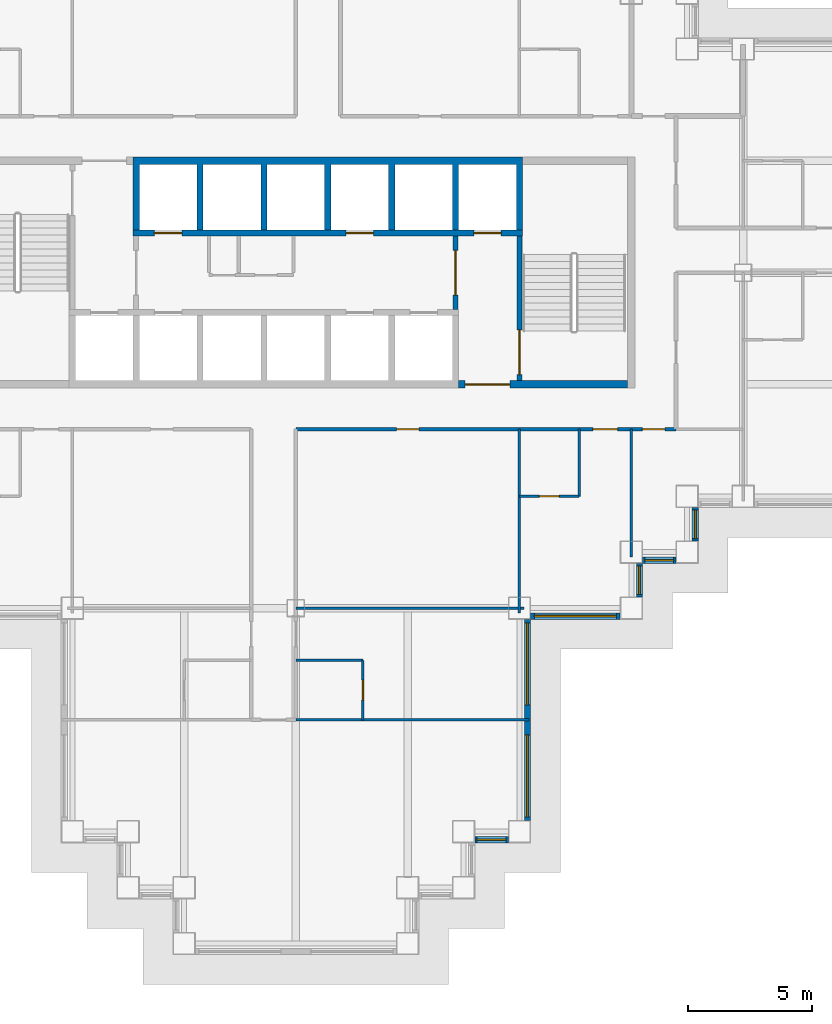
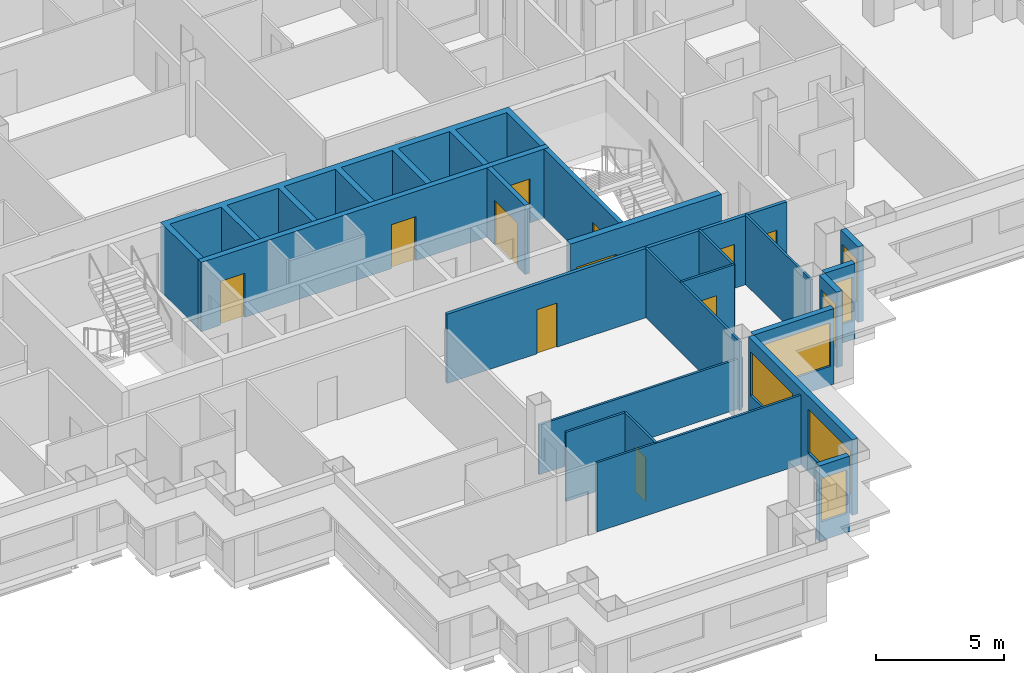
# One storey, part 5 of 14: 20 walls, 11 doors, 7 windows, 18 openings.
"""IFC4 building model written with IfcOpenShell, lengths in metres."""

from ifc_helpers import new_model, si_unit, direction, frame, frame_2d, origin, place, context, subcontext, project, spatial, polyline, rectangle, outline, extrude, material, layer, layer_set, type_object, element, fill, save


model = new_model("IFC4")

# Units and contexts
model_context = context("Model", 3, precision=1e-05, world=origin(), true_north=direction((0.0, 1.0)))
body_context = subcontext(model_context, "Body", "Model", "MODEL_VIEW")
ifc_project = project(units=[si_unit("LENGTHUNIT", "METRE"), si_unit("AREAUNIT", "SQUARE_METRE"), si_unit("VOLUMEUNIT", "CUBIC_METRE"), si_unit("PLANEANGLEUNIT", "RADIAN"), si_unit("MASSUNIT", "GRAM", prefix="KILO")], contexts=[model_context])

# Site, building, storey
site_placement = place(None, origin())
site = spatial("IfcSite", under=ifc_project, at=site_placement, CompositionType="ELEMENT")
building_placement = place(site_placement, origin())
building = spatial("IfcBuilding", under=site, at=building_placement, Name="Caravel Reach Hotel and Residences", CompositionType="ELEMENT")
storey_placement = place(building_placement, frame((0.0, 0.0, 118.800048828125)))
storey = spatial("IfcBuildingStorey", under=building, at=storey_placement, Name="L29", CompositionType="ELEMENT", Elevation=118.800048828125)

# Wall
ifc_material_1 = material(Name="Gypsum board on steel stud", Category="steel")
ifc_layer_1 = layer(ifc_material_1, 0.10009765625)
ifc_layer_set_1 = layer_set([ifc_layer_1], Name="Bathroom pod wall 100 mm")
wall_type_1 = type_object("IfcWallType", Name="Bathroom pod wall 100 mm", PredefinedType="PARTITIONING", material=ifc_layer_set_1)
wall_1_placement = place(storey_placement, frame((31.5, 11.39990234375, 0.0), z_axis=(0.0, 0.0, 1.0), x_axis=(1.0, 0.0, 0.0)))
element("IfcWall", 1, at=wall_1_placement, inside=storey, type_object=wall_type_1, Name="L29 wall w067", PredefinedType="PARTITIONING", context=body_context, shape_type="SweptSolid", body=[
    extrude(rectangle(XDim=2.699951171875, YDim=0.10009765625, at=frame_2d((1.35009765625, 0.0))), origin(), (0.0, 0.0, 1.0), 3.300048828125),
])

# Wall, opening, door
wall_2_placement = place(storey_placement, frame((40.5, 18.0, 0.0), z_axis=(0.0, 0.0, 1.0), x_axis=(1.0, 0.0, 0.0)))
wall_2 = element("IfcWall", 2, at=wall_2_placement, inside=storey, type_object=wall_type_1, Name="L29 wall w070", PredefinedType="PARTITIONING", context=body_context, shape_type="SweptSolid", body=[
    extrude(rectangle(XDim=2.39990234375, YDim=0.10009765625, at=frame_2d((1.199951171875, 0.0))), origin(), (0.0, 0.0, 1.0), 3.300048828125),
])
opening_1_placement = place(wall_2_placement, frame((0.800048828125, 0.0, 0.0)))
opening_1 = element("IfcOpeningElement", 3, at=opening_1_placement, cuts=wall_2, Name="Opening D29-048", PredefinedType="OPENING", context=body_context, shape_type="SweptSolid", body=[
    extrude(rectangle(XDim=0.800048828125, YDim=2.10009765625, at=frame_2d((0.39990234375, 1.050048828125))), frame((0.0, 0.06005859375, 0.0), z_axis=(0.0, -1.0, 0.0), x_axis=(1.0, 0.0, 0.0)), (0.0, 0.0, 1.0), 0.1201171875),
])
ifc_material_2 = material(Name="Timber and steel door leaf", Category="steel")
door_type_1 = type_object("IfcDoorType", Name="Bathroom door 800 x 2100", OperationType="SINGLE_SWING_LEFT", PredefinedType="DOOR", material=ifc_material_2)
door_1_placement = place(opening_1_placement, origin())
door_1 = element("IfcDoor", 4, at=door_1_placement, inside=storey, type_object=door_type_1, Name="door D29-048", OperationType="SINGLE_SWING_LEFT", OverallHeight=2.10009765625, OverallWidth=0.800048828125, PredefinedType="DOOR", context=body_context, shape_type="SweptSolid", body=[
    extrude(rectangle(XDim=0.800048828125, YDim=2.10009765625, at=frame_2d((0.39990234375, 1.050048828125))), frame((0.0, 0.02490234375, 0.0), z_axis=(0.0, -1.0, 0.0), x_axis=(1.0, 0.0, 0.0)), (0.0, 0.0, 1.0), 0.050048828125),
])
fill(opening_1, door_1)

wall_3_placement = place(storey_placement, frame((34.199951171875, 9.0, 0.0), z_axis=(0.0, 0.0, 1.0), x_axis=(0.0, 1.0, 0.0)))
wall_3 = element("IfcWall", 5, at=wall_3_placement, inside=storey, type_object=wall_type_1, Name="L29 wall w087", PredefinedType="PARTITIONING", context=body_context, shape_type="SweptSolid", body=[
    extrude(rectangle(XDim=2.39990234375, YDim=0.10009765625, at=frame_2d((1.199951171875, 0.0))), origin(), (0.0, 0.0, 1.0), 3.300048828125),
])
opening_2_placement = place(wall_3_placement, frame((0.800048828125, 0.0, 0.0)))
opening_2 = element("IfcOpeningElement", 6, at=opening_2_placement, cuts=wall_3, Name="Opening D29-034", PredefinedType="OPENING", context=body_context, shape_type="SweptSolid", body=[
    extrude(rectangle(XDim=0.800048828125, YDim=2.10009765625, at=frame_2d((0.39990234375, 1.050048828125))), frame((0.0, 0.06005859375, 0.0), z_axis=(0.0, -1.0, 0.0), x_axis=(1.0, 0.0, 0.0)), (0.0, 0.0, 1.0), 0.1201171875),
])
door_2_placement = place(opening_2_placement, origin())
door_2 = element("IfcDoor", 7, at=door_2_placement, inside=storey, type_object=door_type_1, Name="door D29-034", OperationType="SINGLE_SWING_RIGHT", OverallHeight=2.10009765625, OverallWidth=0.800048828125, PredefinedType="DOOR", context=body_context, shape_type="SweptSolid", body=[
    extrude(rectangle(XDim=0.800048828125, YDim=2.10009765625, at=frame_2d((0.39990234375, 1.050048828125))), frame((0.0, 0.02490234375, 0.0), z_axis=(0.0, -1.0, 0.0), x_axis=(1.0, 0.0, 0.0)), (0.0, 0.0, 1.0), 0.050048828125),
])
fill(opening_2, door_2)

# Wall
wall_4_placement = place(storey_placement, frame((42.89990234375, 18.0, 0.0), z_axis=(0.0, 0.0, 1.0), x_axis=(0.0, 1.0, 0.0)))
element("IfcWall", 8, at=wall_4_placement, inside=storey, type_object=wall_type_1, Name="L29 wall w091", PredefinedType="PARTITIONING", context=body_context, shape_type="SweptSolid", body=[
    extrude(rectangle(XDim=2.699951171875, YDim=0.10009765625, at=frame_2d((1.35009765625, 0.0))), origin(), (0.0, 0.0, 1.0), 3.300048828125),
])

# Wall, opening, door
ifc_material_3 = material(Name="Concrete C60", Category="concrete")
ifc_layer_2 = layer(ifc_material_3, 0.300048828125)
ifc_layer_set_2 = layer_set([ifc_layer_2], Name="Core wall 300 mm EI 120")
wall_type_2 = type_object("IfcWallType", Name="Core wall 300 mm EI 120", PredefinedType="SHEAR", material=ifc_layer_set_2)
wall_5_placement = place(storey_placement, frame((38.053466796875, 22.5, 0.0), z_axis=(0.0, 0.0, 1.0), x_axis=(1.0, 0.0, 0.0)))
wall_5 = element("IfcWall", 9, at=wall_5_placement, inside=storey, type_object=wall_type_2, Name="L29 core wall S2", PredefinedType="SHEAR", context=body_context, shape_type="SweptSolid", body=[
    extrude(rectangle(XDim=6.796630859375, YDim=0.300048828125, at=frame_2d((3.3984375, 0.0))), origin(), (0.0, 0.0, 1.0), 3.300048828125),
])
opening_3_placement = place(wall_5_placement, frame((0.2607421875, 0.0, 0.0)))
opening_3 = element("IfcOpeningElement", 10, at=opening_3_placement, cuts=wall_5, Name="Opening D29-015", PredefinedType="OPENING", context=body_context, shape_type="SweptSolid", body=[
    extrude(rectangle(XDim=1.800048828125, YDim=2.10009765625, at=frame_2d((0.89990234375, 1.050048828125))), frame((0.0, 0.159912109375, 0.0), z_axis=(0.0, -1.0, 0.0), x_axis=(1.0, 0.0, 0.0)), (0.0, 0.0, 1.0), 0.320068359375),
])
ifc_material_4 = material(Name="Steel fire door leaf", Category="steel")
door_type_2 = type_object("IfcDoorType", Name="Fire lobby door pair 1800 x 2100 EI 90", OperationType="DOUBLE_DOOR_SINGLE_SWING", PredefinedType="DOOR", material=ifc_material_4)
door_3_placement = place(opening_3_placement, origin())
door_3 = element("IfcDoor", 11, at=door_3_placement, inside=storey, type_object=door_type_2, Name="lobby S door pair to corridor", OperationType="DOUBLE_DOOR_SINGLE_SWING", OverallHeight=2.10009765625, OverallWidth=1.800048828125, PredefinedType="DOOR", context=body_context, shape_type="SweptSolid", body=[
    extrude(rectangle(XDim=1.800048828125, YDim=2.10009765625, at=frame_2d((0.89990234375, 1.050048828125))), frame((0.0, 0.02490234375, 0.0), z_axis=(0.0, -1.0, 0.0), x_axis=(1.0, 0.0, 0.0)), (0.0, 0.0, 1.0), 0.050048828125),
])
fill(opening_3, door_3)

# Wall, openings, doors
ifc_material_5 = material(Name="Gypsum board on steel stud, fire-rated", Category="steel")
ifc_layer_3 = layer(ifc_material_5, 0.14990234375)
ifc_layer_set_3 = layer_set([ifc_layer_3], Name="Corridor wall 150 mm EI 60")
wall_type_3 = type_object("IfcWallType", Name="Corridor wall 150 mm EI 60", PredefinedType="PARTITIONING", material=ifc_layer_set_3)
wall_6_placement = place(storey_placement, frame((31.5, 20.699951171875, 0.0), z_axis=(0.0, 0.0, 1.0), x_axis=(1.0, 0.0, 0.0)))
wall_6 = element("IfcWall", 12, at=wall_6_placement, inside=storey, type_object=wall_type_3, Name="L29 wall w004", PredefinedType="PARTITIONING", context=body_context, shape_type="SweptSolid", body=[
    extrude(rectangle(XDim=15.300048828125, YDim=0.14990234375, at=frame_2d((7.64990234375, 0.0))), origin(), (0.0, 0.0, 1.0), 3.300048828125),
])
opening_4_placement = place(wall_6_placement, frame((11.949951171875, 0.0, 0.0)))
opening_4 = element("IfcOpeningElement", 13, at=opening_4_placement, cuts=wall_6, Name="Opening D29-047", PredefinedType="OPENING", context=body_context, shape_type="SweptSolid", body=[
    extrude(rectangle(XDim=1.0, YDim=2.10009765625, at=frame_2d((0.5, 1.050048828125))), frame((0.0, 0.0849609375, 0.0), z_axis=(0.0, -1.0, 0.0), x_axis=(1.0, 0.0, 0.0)), (0.0, 0.0, 1.0), 0.169921875),
])
opening_5_placement = place(wall_6_placement, frame((13.949951171875, 0.0, 0.0)))
opening_5 = element("IfcOpeningElement", 14, at=opening_5_placement, cuts=wall_6, Name="Opening D29-049", PredefinedType="OPENING", context=body_context, shape_type="SweptSolid", body=[
    extrude(rectangle(XDim=0.89990234375, YDim=2.10009765625, at=frame_2d((0.449951171875, 1.050048828125))), frame((0.0, 0.0849609375, 0.0), z_axis=(0.0, -1.0, 0.0), x_axis=(1.0, 0.0, 0.0)), (0.0, 0.0, 1.0), 0.169921875),
])
opening_6_placement = place(wall_6_placement, frame((4.050048828125, 0.0, 0.0)))
opening_6 = element("IfcOpeningElement", 15, at=opening_6_placement, cuts=wall_6, Name="Opening D29-053", PredefinedType="OPENING", context=body_context, shape_type="SweptSolid", body=[
    extrude(rectangle(XDim=0.89990234375, YDim=2.10009765625, at=frame_2d((0.449951171875, 1.050048828125))), frame((0.0, 0.0849609375, 0.0), z_axis=(0.0, -1.0, 0.0), x_axis=(1.0, 0.0, 0.0)), (0.0, 0.0, 1.0), 0.169921875),
])
ifc_material_6 = material(Name="Timber and steel door leaf", Category="steel")
door_type_3 = type_object("IfcDoorType", Name="Door 900 x 2100 timber", OperationType="SINGLE_SWING_LEFT", PredefinedType="DOOR", material=ifc_material_6)
door_4_placement = place(opening_5_placement, origin())
door_4 = element("IfcDoor", 16, at=door_4_placement, inside=storey, type_object=door_type_3, Name="door D29-049", OperationType="SINGLE_SWING_RIGHT", OverallHeight=2.10009765625, OverallWidth=0.89990234375, PredefinedType="DOOR", context=body_context, shape_type="SweptSolid", body=[
    extrude(rectangle(XDim=0.89990234375, YDim=2.10009765625, at=frame_2d((0.449951171875, 1.050048828125))), frame((0.0, 0.02490234375, 0.0), z_axis=(0.0, -1.0, 0.0), x_axis=(1.0, 0.0, 0.0)), (0.0, 0.0, 1.0), 0.050048828125),
])
fill(opening_5, door_4)
door_5_placement = place(opening_6_placement, origin())
door_5 = element("IfcDoor", 17, at=door_5_placement, inside=storey, type_object=door_type_3, Name="door D29-053", OperationType="SINGLE_SWING_RIGHT", OverallHeight=2.10009765625, OverallWidth=0.89990234375, PredefinedType="DOOR", context=body_context, shape_type="SweptSolid", body=[
    extrude(rectangle(XDim=0.89990234375, YDim=2.10009765625, at=frame_2d((0.449951171875, 1.050048828125))), frame((0.0, 0.02490234375, 0.0), z_axis=(0.0, -1.0, 0.0), x_axis=(1.0, 0.0, 0.0)), (0.0, 0.0, 1.0), 0.050048828125),
])
fill(opening_6, door_5)
ifc_material_7 = material(Name="Steel fire door leaf", Category="steel")
door_type_4 = type_object("IfcDoorType", Name="Guest room door 1000 x 2100 EI 30", OperationType="SINGLE_SWING_LEFT", PredefinedType="DOOR", material=ifc_material_7)
door_6_placement = place(opening_4_placement, origin())
door_6 = element("IfcDoor", 18, at=door_6_placement, inside=storey, type_object=door_type_4, Name="door D29-047", OperationType="SINGLE_SWING_RIGHT", OverallHeight=2.10009765625, OverallWidth=1.0, PredefinedType="DOOR", context=body_context, shape_type="SweptSolid", body=[
    extrude(rectangle(XDim=1.0, YDim=2.10009765625, at=frame_2d((0.5, 1.050048828125))), frame((0.0, 0.02490234375, 0.0), z_axis=(0.0, -1.0, 0.0), x_axis=(1.0, 0.0, 0.0)), (0.0, 0.0, 1.0), 0.050048828125),
])
fill(opening_4, door_6)

# Wall, opening, window
ifc_material_8 = material(Name="Insulated rainscreen wall, aluminium cladding", Category="aluminium")
ifc_layer_4 = layer(ifc_material_8, 0.25)
ifc_layer_set_4 = layer_set([ifc_layer_4], Name="EW1 Tower rainscreen wall")
wall_type_4 = type_object("IfcWallType", Name="EW1 Tower rainscreen wall", PredefinedType="SOLIDWALL", material=ifc_layer_set_4)
wall_7_placement = place(storey_placement, frame((38.699951171875, 4.175048828125, 0.0), z_axis=(0.0, 0.0, 1.0), x_axis=(1.0, 0.0, 0.0)))
wall_7 = element("IfcWall", 19, at=wall_7_placement, inside=storey, type_object=wall_type_4, Name="External wall L29 S9.1", PredefinedType="SOLIDWALL", context=body_context, shape_type="SweptSolid", body=[
    extrude(rectangle(XDim=1.35009765625, YDim=0.25, at=frame_2d((0.675048828125, 0.0))), origin(), (0.0, 0.0, 1.0), 3.599853515625),
])
opening_7_placement = place(wall_7_placement, frame((0.10009765625, 0.0, 0.89990234375)))
opening_7 = element("IfcOpeningElement", 20, at=opening_7_placement, cuts=wall_7, Name="Opening WN8", PredefinedType="OPENING", context=body_context, shape_type="SweptSolid", body=[
    extrude(rectangle(XDim=1.14990234375, YDim=2.080078125, at=frame_2d((0.574951171875, 1.0400390625))), frame((0.0, 0.135009765625, 0.0), z_axis=(0.0, -1.0, 0.0), x_axis=(1.0, 0.0, 0.0)), (0.0, 0.0, 1.0), 0.27001953125),
])
ifc_material_9 = material(Name="Dark low-e glazing in black aluminium frame", Category="aluminium")
window_type_1 = type_object("IfcWindowType", Name="Hotel suite corner window 1150 x 2080", PartitioningType="SINGLE_PANEL", PredefinedType="WINDOW", material=ifc_material_9)
window_1_placement = place(opening_7_placement, origin())
window_1 = element("IfcWindow", 21, at=window_1_placement, inside=storey, type_object=window_type_1, Name="Window L29 S9.1.1", OverallHeight=2.080078125, OverallWidth=1.14990234375, PartitioningType="SINGLE_PANEL", PredefinedType="WINDOW", context=body_context, shape_type="SweptSolid", body=[
    extrude(rectangle(XDim=1.14990234375, YDim=2.080078125, at=frame_2d((0.574951171875, 1.0400390625))), frame((0.0, 0.030029296875, 0.0), z_axis=(0.0, -1.0, 0.0), x_axis=(1.0, 0.0, 0.0)), (0.0, 0.0, 1.0), 0.06005859375),
])
fill(opening_7, window_1)

# Wall, openings, windows
wall_8_placement = place(storey_placement, frame((40.824951171875, 4.949951171875, 0.0), z_axis=(0.0, 0.0, 1.0), x_axis=(0.0, 1.0, 0.0)))
wall_8 = element("IfcWall", 22, at=wall_8_placement, inside=storey, type_object=wall_type_4, Name="External wall L29 E10.1", PredefinedType="SOLIDWALL", context=body_context, shape_type="SweptSolid", body=[
    extrude(rectangle(XDim=8.10009765625, YDim=0.25, at=frame_2d((4.050048828125, 0.0))), origin(), (0.0, 0.0, 1.0), 3.599853515625),
])
opening_8_placement = place(wall_8_placement, frame((0.14990234375, 0.0, 0.89990234375)))
opening_8 = element("IfcOpeningElement", 23, at=opening_8_placement, cuts=wall_8, Name="Opening WN4", PredefinedType="OPENING", context=body_context, shape_type="SweptSolid", body=[
    extrude(rectangle(XDim=3.300048828125, YDim=2.080078125, at=frame_2d((1.64990234375, 1.0400390625))), frame((0.0, 0.135009765625, 0.0), z_axis=(0.0, -1.0, 0.0), x_axis=(1.0, 0.0, 0.0)), (0.0, 0.0, 1.0), 0.27001953125),
])
opening_9_placement = place(wall_8_placement, frame((4.64990234375, 0.0, 0.89990234375)))
opening_9 = element("IfcOpeningElement", 24, at=opening_9_placement, cuts=wall_8, Name="Opening WN4", PredefinedType="OPENING", context=body_context, shape_type="SweptSolid", body=[
    extrude(rectangle(XDim=3.300048828125, YDim=2.080078125, at=frame_2d((1.64990234375, 1.0400390625))), frame((0.0, 0.135009765625, 0.0), z_axis=(0.0, -1.0, 0.0), x_axis=(1.0, 0.0, 0.0)), (0.0, 0.0, 1.0), 0.27001953125),
])
ifc_material_10 = material(Name="Dark low-e glazing in black aluminium frame", Category="aluminium")
window_type_2 = type_object("IfcWindowType", Name="Hotel guest room window 3300 x 2080", PartitioningType="SINGLE_PANEL", PredefinedType="WINDOW", material=ifc_material_10)
window_2_placement = place(opening_8_placement, origin())
window_2 = element("IfcWindow", 25, at=window_2_placement, inside=storey, type_object=window_type_2, Name="Window L29 E10.1.1", OverallHeight=2.080078125, OverallWidth=3.300048828125, PartitioningType="SINGLE_PANEL", PredefinedType="WINDOW", context=body_context, shape_type="SweptSolid", body=[
    extrude(rectangle(XDim=3.300048828125, YDim=2.080078125, at=frame_2d((1.64990234375, 1.0400390625))), frame((0.0, 0.030029296875, 0.0), z_axis=(0.0, -1.0, 0.0), x_axis=(1.0, 0.0, 0.0)), (0.0, 0.0, 1.0), 0.06005859375),
])
fill(opening_8, window_2)
window_3_placement = place(opening_9_placement, origin())
window_3 = element("IfcWindow", 26, at=window_3_placement, inside=storey, type_object=window_type_2, Name="Window L29 E10.1.2", OverallHeight=2.080078125, OverallWidth=3.300048828125, PartitioningType="SINGLE_PANEL", PredefinedType="WINDOW", context=body_context, shape_type="SweptSolid", body=[
    extrude(rectangle(XDim=3.300048828125, YDim=2.080078125, at=frame_2d((1.64990234375, 1.0400390625))), frame((0.0, 0.030029296875, 0.0), z_axis=(0.0, -1.0, 0.0), x_axis=(1.0, 0.0, 0.0)), (0.0, 0.0, 1.0), 0.06005859375),
])
fill(opening_9, window_3)

# Wall, opening, window
wall_9_placement = place(storey_placement, frame((40.949951171875, 13.175048828125, 0.0), z_axis=(0.0, 0.0, 1.0), x_axis=(1.0, 0.0, 0.0)))
wall_9 = element("IfcWall", 27, at=wall_9_placement, inside=storey, type_object=wall_type_4, Name="External wall L29 S11.1", PredefinedType="SOLIDWALL", context=body_context, shape_type="SweptSolid", body=[
    extrude(rectangle(XDim=3.60009765625, YDim=0.25, at=frame_2d((1.800048828125, 0.0))), origin(), (0.0, 0.0, 1.0), 3.599853515625),
])
opening_10_placement = place(wall_9_placement, frame((0.14990234375, 0.0, 0.89990234375)))
opening_10 = element("IfcOpeningElement", 28, at=opening_10_placement, cuts=wall_9, Name="Opening WN4", PredefinedType="OPENING", context=body_context, shape_type="SweptSolid", body=[
    extrude(rectangle(XDim=3.300048828125, YDim=2.080078125, at=frame_2d((1.64990234375, 1.0400390625))), frame((0.0, 0.135009765625, 0.0), z_axis=(0.0, -1.0, 0.0), x_axis=(1.0, 0.0, 0.0)), (0.0, 0.0, 1.0), 0.27001953125),
])
window_4_placement = place(opening_10_placement, origin())
window_4 = element("IfcWindow", 29, at=window_4_placement, inside=storey, type_object=window_type_2, Name="Window L29 S11.1.1", OverallHeight=2.080078125, OverallWidth=3.300048828125, PartitioningType="SINGLE_PANEL", PredefinedType="WINDOW", context=body_context, shape_type="SweptSolid", body=[
    extrude(rectangle(XDim=3.300048828125, YDim=2.080078125, at=frame_2d((1.64990234375, 1.0400390625))), frame((0.0, 0.030029296875, 0.0), z_axis=(0.0, -1.0, 0.0), x_axis=(1.0, 0.0, 0.0)), (0.0, 0.0, 1.0), 0.06005859375),
])
fill(opening_10, window_4)

wall_10_placement = place(storey_placement, frame((45.324951171875, 13.949951171875, 0.0), z_axis=(0.0, 0.0, 1.0), x_axis=(0.0, 1.0, 0.0)))
wall_10 = element("IfcWall", 30, at=wall_10_placement, inside=storey, type_object=wall_type_4, Name="External wall L29 E12.1", PredefinedType="SOLIDWALL", context=body_context, shape_type="SweptSolid", body=[
    extrude(rectangle(XDim=1.35009765625, YDim=0.25, at=frame_2d((0.675048828125, 0.0))), origin(), (0.0, 0.0, 1.0), 3.599853515625),
])
opening_11_placement = place(wall_10_placement, frame((0.10009765625, 0.0, 0.89990234375)))
opening_11 = element("IfcOpeningElement", 31, at=opening_11_placement, cuts=wall_10, Name="Opening WN8", PredefinedType="OPENING", context=body_context, shape_type="SweptSolid", body=[
    extrude(rectangle(XDim=1.14990234375, YDim=2.080078125, at=frame_2d((0.574951171875, 1.0400390625))), frame((0.0, 0.135009765625, 0.0), z_axis=(0.0, -1.0, 0.0), x_axis=(1.0, 0.0, 0.0)), (0.0, 0.0, 1.0), 0.27001953125),
])
window_5_placement = place(opening_11_placement, origin())
window_5 = element("IfcWindow", 32, at=window_5_placement, inside=storey, type_object=window_type_1, Name="Window L29 E12.1.1", OverallHeight=2.080078125, OverallWidth=1.14990234375, PartitioningType="SINGLE_PANEL", PredefinedType="WINDOW", context=body_context, shape_type="SweptSolid", body=[
    extrude(rectangle(XDim=1.14990234375, YDim=2.080078125, at=frame_2d((0.574951171875, 1.0400390625))), frame((0.0, 0.030029296875, 0.0), z_axis=(0.0, -1.0, 0.0), x_axis=(1.0, 0.0, 0.0)), (0.0, 0.0, 1.0), 0.06005859375),
])
fill(opening_11, window_5)

wall_11_placement = place(storey_placement, frame((45.449951171875, 15.425048828125, 0.0), z_axis=(0.0, 0.0, 1.0), x_axis=(1.0, 0.0, 0.0)))
wall_11 = element("IfcWall", 33, at=wall_11_placement, inside=storey, type_object=wall_type_4, Name="External wall L29 S13.1", PredefinedType="SOLIDWALL", context=body_context, shape_type="SweptSolid", body=[
    extrude(rectangle(XDim=1.35009765625, YDim=0.25, at=frame_2d((0.675048828125, 0.0))), origin(), (0.0, 0.0, 1.0), 3.599853515625),
])
opening_12_placement = place(wall_11_placement, frame((0.10009765625, 0.0, 0.89990234375)))
opening_12 = element("IfcOpeningElement", 34, at=opening_12_placement, cuts=wall_11, Name="Opening WN8", PredefinedType="OPENING", context=body_context, shape_type="SweptSolid", body=[
    extrude(rectangle(XDim=1.14990234375, YDim=2.080078125, at=frame_2d((0.574951171875, 1.0400390625))), frame((0.0, 0.135009765625, 0.0), z_axis=(0.0, -1.0, 0.0), x_axis=(1.0, 0.0, 0.0)), (0.0, 0.0, 1.0), 0.27001953125),
])
window_6_placement = place(opening_12_placement, origin())
window_6 = element("IfcWindow", 35, at=window_6_placement, inside=storey, type_object=window_type_1, Name="Window L29 S13.1.1", OverallHeight=2.080078125, OverallWidth=1.14990234375, PartitioningType="SINGLE_PANEL", PredefinedType="WINDOW", context=body_context, shape_type="SweptSolid", body=[
    extrude(rectangle(XDim=1.14990234375, YDim=2.080078125, at=frame_2d((0.574951171875, 1.0400390625))), frame((0.0, 0.030029296875, 0.0), z_axis=(0.0, -1.0, 0.0), x_axis=(1.0, 0.0, 0.0)), (0.0, 0.0, 1.0), 0.06005859375),
])
fill(opening_12, window_6)

wall_12_placement = place(storey_placement, frame((47.574951171875, 16.199951171875, 0.0), z_axis=(0.0, 0.0, 1.0), x_axis=(0.0, 1.0, 0.0)))
wall_12 = element("IfcWall", 36, at=wall_12_placement, inside=storey, type_object=wall_type_4, Name="External wall L29 E14.1", PredefinedType="SOLIDWALL", context=body_context, shape_type="SweptSolid", body=[
    extrude(rectangle(XDim=1.35009765625, YDim=0.25, at=frame_2d((0.675048828125, 0.0))), origin(), (0.0, 0.0, 1.0), 3.599853515625),
])
opening_13_placement = place(wall_12_placement, frame((0.10009765625, 0.0, 0.89990234375)))
opening_13 = element("IfcOpeningElement", 37, at=opening_13_placement, cuts=wall_12, Name="Opening WN8", PredefinedType="OPENING", context=body_context, shape_type="SweptSolid", body=[
    extrude(rectangle(XDim=1.14990234375, YDim=2.080078125, at=frame_2d((0.574951171875, 1.0400390625))), frame((0.0, 0.135009765625, 0.0), z_axis=(0.0, -1.0, 0.0), x_axis=(1.0, 0.0, 0.0)), (0.0, 0.0, 1.0), 0.27001953125),
])
window_7_placement = place(opening_13_placement, origin())
window_7 = element("IfcWindow", 38, at=window_7_placement, inside=storey, type_object=window_type_1, Name="Window L29 E14.1.1", OverallHeight=2.080078125, OverallWidth=1.14990234375, PartitioningType="SINGLE_PANEL", PredefinedType="WINDOW", context=body_context, shape_type="SweptSolid", body=[
    extrude(rectangle(XDim=1.14990234375, YDim=2.080078125, at=frame_2d((0.574951171875, 1.0400390625))), frame((0.0, 0.030029296875, 0.0), z_axis=(0.0, -1.0, 0.0), x_axis=(1.0, 0.0, 0.0)), (0.0, 0.0, 1.0), 0.06005859375),
])
fill(opening_13, window_7)

# Wall, opening, door
ifc_material_11 = material(Name="Autoclaved aerated block wall")
ifc_layer_5 = layer(ifc_material_11, 0.199951171875)
ifc_layer_set_5 = layer_set([ifc_layer_5], Name="Fire lobby wall 200 mm EI 120")
wall_type_5 = type_object("IfcWallType", Name="Fire lobby wall 200 mm EI 120", PredefinedType="PARTITIONING", material=ifc_layer_set_5)
wall_13_placement = place(storey_placement, frame((37.928466796875, 25.52490234375, 0.0), z_axis=(0.0, 0.0, 1.0), x_axis=(0.0, 1.0, 0.0)))
wall_13 = element("IfcWall", 39, at=wall_13_placement, inside=storey, type_object=wall_type_5, Name="L29 lobby E wall", PredefinedType="PARTITIONING", context=body_context, shape_type="SweptSolid", body=[
    extrude(rectangle(XDim=2.9501953125, YDim=0.199951171875, at=frame_2d((1.47509765625, 0.0))), origin(), (0.0, 0.0, 1.0), 3.300048828125),
])
opening_14_placement = place(wall_13_placement, frame((0.574951171875, 0.0, 0.0)))
opening_14 = element("IfcOpeningElement", 40, at=opening_14_placement, cuts=wall_13, Name="Opening D29-013", PredefinedType="OPENING", context=body_context, shape_type="SweptSolid", body=[
    extrude(rectangle(XDim=1.800048828125, YDim=2.10009765625, at=frame_2d((0.89990234375, 1.050048828125))), frame((0.0, 0.10986328125, 0.0), z_axis=(0.0, -1.0, 0.0), x_axis=(1.0, 0.0, 0.0)), (0.0, 0.0, 1.0), 0.219970703125),
])
door_7_placement = place(opening_14_placement, origin())
door_7 = element("IfcDoor", 41, at=door_7_placement, inside=storey, type_object=door_type_2, Name="lobby E door pair", OperationType="DOUBLE_DOOR_SINGLE_SWING", OverallHeight=2.10009765625, OverallWidth=1.800048828125, PredefinedType="DOOR", context=body_context, shape_type="SweptSolid", body=[
    extrude(rectangle(XDim=1.800048828125, YDim=2.10009765625, at=frame_2d((0.89990234375, 1.050048828125))), frame((0.0, 0.02490234375, 0.0), z_axis=(0.0, -1.0, 0.0), x_axis=(1.0, 0.0, 0.0)), (0.0, 0.0, 1.0), 0.050048828125),
])
fill(opening_14, door_7)

# Walls
ifc_material_12 = material(Name="Gypsum board on steel stud", Category="steel")
ifc_layer_6 = layer(ifc_material_12, 0.10009765625)
ifc_layer_set_6 = layer_set([ifc_layer_6], Name="Partition 100 mm")
wall_type_6 = type_object("IfcWallType", Name="Partition 100 mm", PredefinedType="PARTITIONING", material=ifc_layer_set_6)
wall_14_placement = place(storey_placement, frame((31.5, 13.5, 0.0), z_axis=(0.0, 0.0, 1.0), x_axis=(1.0, 0.0, 0.0)))
element("IfcWall", 42, at=wall_14_placement, inside=storey, type_object=wall_type_6, Name="L29 wall w037", PredefinedType="PARTITIONING", context=body_context, shape_type="SweptSolid", body=[
    extrude(rectangle(XDim=9.18994140625, YDim=0.10009765625, at=frame_2d((4.594970703125, 0.0))), origin(), (0.0, 0.0, 1.0), 2.3798828125),
])
wall_15_placement = place(storey_placement, frame((31.5, 9.0, 0.0), z_axis=(0.0, 0.0, 1.0), x_axis=(1.0, 0.0, 0.0)))
element("IfcWall", 43, at=wall_15_placement, inside=storey, type_object=wall_type_6, Name="L29 wall w047", PredefinedType="PARTITIONING", context=body_context, shape_type="SweptSolid", body=[
    extrude(rectangle(XDim=9.389892578125, YDim=0.10009765625, at=frame_2d((4.69482421875, 0.0))), origin(), (0.0, 0.0, 1.0), 3.300048828125),
])
wall_16_placement = place(storey_placement, frame((40.5, 13.31005859375, 0.0), z_axis=(0.0, 0.0, 1.0), x_axis=(0.0, 1.0, 0.0)))
element("IfcWall", 44, at=wall_16_placement, inside=storey, type_object=wall_type_6, Name="L29 wall w056", PredefinedType="PARTITIONING", context=body_context, shape_type="SweptSolid", body=[
    extrude(rectangle(XDim=7.389892578125, YDim=0.10009765625, at=frame_2d((3.69482421875, 0.0))), origin(), (0.0, 0.0, 1.0), 3.300048828125),
])
wall_17_placement = place(storey_placement, frame((45.0, 15.56005859375, 0.0), z_axis=(0.0, 0.0, 1.0), x_axis=(0.0, 1.0, 0.0)))
element("IfcWall", 45, at=wall_17_placement, inside=storey, type_object=wall_type_6, Name="L29 wall w057", PredefinedType="PARTITIONING", context=body_context, shape_type="SweptSolid", body=[
    extrude(rectangle(XDim=5.139892578125, YDim=0.10009765625, at=frame_2d((2.56982421875, 0.0))), origin(), (0.0, 0.0, 1.0), 3.300048828125),
])
ifc_material_13 = material(Name="Concrete C60", Category="concrete")
ifc_layer_7 = layer(ifc_material_13, 0.25)
ifc_layer_set_7 = layer_set([ifc_layer_7], Name="Shaft wall 250 mm EI 120")
wall_type_7 = type_object("IfcWallType", Name="Shaft wall 250 mm EI 120", PredefinedType="SHEAR", material=ifc_layer_set_7)
wall_18_placement = place(storey_placement, origin())
element("IfcWall", 46, at=wall_18_placement, inside=storey, type_object=wall_type_7, Name="L29 lift shaft wall N1", PredefinedType="SHEAR", context=body_context, shape_type="SweptSolid", body=[
    extrude(outline(polyline([(24.946533203125, 28.72509765625), (25.196533203125, 28.72509765625), (25.196533203125, 31.35009765625), (27.517822265625, 31.35009765625), (27.517822265625, 28.72509765625), (27.767822265625, 28.72509765625), (27.767822265625, 31.35009765625), (30.08935546875, 31.35009765625), (30.08935546875, 28.72509765625), (30.33935546875, 28.72509765625), (30.33935546875, 31.35009765625), (32.66064453125, 31.35009765625), (32.66064453125, 28.72509765625), (32.91064453125, 28.72509765625), (32.91064453125, 31.35009765625), (35.232177734375, 31.35009765625), (35.232177734375, 28.72509765625), (35.482177734375, 28.72509765625), (35.482177734375, 31.35009765625), (37.803466796875, 31.35009765625), (37.803466796875, 28.72509765625), (38.053466796875, 28.72509765625), (38.053466796875, 31.35009765625), (40.375, 31.35009765625), (40.375, 28.72509765625), (40.625, 28.72509765625), (40.625, 31.64990234375), (24.946533203125, 31.64990234375), (24.946533203125, 28.72509765625)])), origin(), (0.0, 0.0, 1.0), 3.300048828125),
])

# Wall, openings, doors
wall_19_placement = place(storey_placement, frame((24.946533203125, 28.60009765625, 0.0), z_axis=(0.0, 0.0, 1.0), x_axis=(1.0, 0.0, 0.0)))
wall_19 = element("IfcWall", 47, at=wall_19_placement, inside=storey, type_object=wall_type_7, Name="L29 lobby wall N1", PredefinedType="SHEAR", context=body_context, shape_type="SweptSolid", body=[
    extrude(rectangle(XDim=15.678466796875, YDim=0.25, at=frame_2d((7.83935546875, 0.0))), origin(), (0.0, 0.0, 1.0), 3.300048828125),
])
opening_15_placement = place(wall_19_placement, frame((0.860595703125, 0.0, 0.0)))
opening_15 = element("IfcOpeningElement", 48, at=opening_15_placement, cuts=wall_19, Name="Opening D29-004", PredefinedType="OPENING", context=body_context, shape_type="SweptSolid", body=[
    extrude(rectangle(XDim=1.10009765625, YDim=2.10009765625, at=frame_2d((0.550048828125, 1.050048828125))), frame((0.0, 0.135009765625, 0.0), z_axis=(0.0, -1.0, 0.0), x_axis=(1.0, 0.0, 0.0)), (0.0, 0.0, 1.0), 0.27001953125),
])
opening_16_placement = place(wall_19_placement, frame((8.574951171875, 0.0, 0.0)))
opening_16 = element("IfcOpeningElement", 49, at=opening_16_placement, cuts=wall_19, Name="Opening D29-005", PredefinedType="OPENING", context=body_context, shape_type="SweptSolid", body=[
    extrude(rectangle(XDim=1.10009765625, YDim=2.10009765625, at=frame_2d((0.550048828125, 1.050048828125))), frame((0.0, 0.135009765625, 0.0), z_axis=(0.0, -1.0, 0.0), x_axis=(1.0, 0.0, 0.0)), (0.0, 0.0, 1.0), 0.27001953125),
])
opening_17_placement = place(wall_19_placement, frame((13.718017578125, 0.0, 0.0)))
opening_17 = element("IfcOpeningElement", 50, at=opening_17_placement, cuts=wall_19, Name="Opening D29-007", PredefinedType="OPENING", context=body_context, shape_type="SweptSolid", body=[
    extrude(rectangle(XDim=1.10009765625, YDim=2.10009765625, at=frame_2d((0.550048828125, 1.050048828125))), frame((0.0, 0.135009765625, 0.0), z_axis=(0.0, -1.0, 0.0), x_axis=(1.0, 0.0, 0.0)), (0.0, 0.0, 1.0), 0.27001953125),
])
ifc_material_14 = material(Name="Stainless steel landing door", Category="steel")
door_type_5 = type_object("IfcDoorType", Name="Landing door LD 1100 x 2100 sliding", OperationType="DOUBLE_DOOR_SLIDING", PredefinedType="DOOR", material=ifc_material_14)
door_8_placement = place(opening_15_placement, origin())
door_8 = element("IfcDoor", 51, at=door_8_placement, inside=storey, type_object=door_type_5, Name="LP4 landing door", OperationType="DOUBLE_DOOR_SLIDING", OverallHeight=2.10009765625, OverallWidth=1.10009765625, PredefinedType="DOOR", context=body_context, shape_type="SweptSolid", body=[
    extrude(rectangle(XDim=1.10009765625, YDim=2.10009765625, at=frame_2d((0.550048828125, 1.050048828125))), frame((0.0, 0.02490234375, 0.0), z_axis=(0.0, -1.0, 0.0), x_axis=(1.0, 0.0, 0.0)), (0.0, 0.0, 1.0), 0.050048828125),
])
fill(opening_15, door_8)
door_9_placement = place(opening_16_placement, origin())
door_9 = element("IfcDoor", 52, at=door_9_placement, inside=storey, type_object=door_type_5, Name="LP5 landing door", OperationType="DOUBLE_DOOR_SLIDING", OverallHeight=2.10009765625, OverallWidth=1.10009765625, PredefinedType="DOOR", context=body_context, shape_type="SweptSolid", body=[
    extrude(rectangle(XDim=1.10009765625, YDim=2.10009765625, at=frame_2d((0.550048828125, 1.050048828125))), frame((0.0, 0.02490234375, 0.0), z_axis=(0.0, -1.0, 0.0), x_axis=(1.0, 0.0, 0.0)), (0.0, 0.0, 1.0), 0.050048828125),
])
fill(opening_16, door_9)
door_10_placement = place(opening_17_placement, origin())
door_10 = element("IfcDoor", 53, at=door_10_placement, inside=storey, type_object=door_type_5, Name="FL2 landing door", OperationType="DOUBLE_DOOR_SLIDING", OverallHeight=2.10009765625, OverallWidth=1.10009765625, PredefinedType="DOOR", context=body_context, shape_type="SweptSolid", body=[
    extrude(rectangle(XDim=1.10009765625, YDim=2.10009765625, at=frame_2d((0.550048828125, 1.050048828125))), frame((0.0, 0.02490234375, 0.0), z_axis=(0.0, -1.0, 0.0), x_axis=(1.0, 0.0, 0.0)), (0.0, 0.0, 1.0), 0.050048828125),
])
fill(opening_17, door_10)

# Wall, opening, door
ifc_material_15 = material(Name="Concrete C60", Category="concrete")
ifc_layer_8 = layer(ifc_material_15, 0.199951171875)
ifc_layer_set_8 = layer_set([ifc_layer_8], Name="Stair enclosure wall 200 mm EI 120")
wall_type_8 = type_object("IfcWallType", Name="Stair enclosure wall 200 mm EI 120", PredefinedType="SHEAR", material=ifc_layer_set_8)
wall_20_placement = place(storey_placement, frame((40.5, 22.64990234375, 0.0), z_axis=(0.0, 0.0, 1.0), x_axis=(0.0, 1.0, 0.0)))
wall_20 = element("IfcWall", 54, at=wall_20_placement, inside=storey, type_object=wall_type_8, Name="L29 stair B wall", PredefinedType="SHEAR", context=body_context, shape_type="SweptSolid", body=[
    extrude(rectangle(XDim=5.8251953125, YDim=0.199951171875, at=frame_2d((2.91259765625, 0.0))), origin(), (0.0, 0.0, 1.0), 3.300048828125),
])
opening_18_placement = place(wall_20_placement, frame((0.25, 0.0, 0.0)))
opening_18 = element("IfcOpeningElement", 55, at=opening_18_placement, cuts=wall_20, Name="Opening D29-011", PredefinedType="OPENING", context=body_context, shape_type="SweptSolid", body=[
    extrude(rectangle(XDim=1.800048828125, YDim=2.10009765625, at=frame_2d((0.89990234375, 1.050048828125))), frame((0.0, 0.10986328125, 0.0), z_axis=(0.0, -1.0, 0.0), x_axis=(1.0, 0.0, 0.0)), (0.0, 0.0, 1.0), 0.219970703125),
])
ifc_material_16 = material(Name="Steel fire door leaf", Category="steel")
door_type_6 = type_object("IfcDoorType", Name="Stair door pair 1800 x 2100 EI 90", OperationType="DOUBLE_DOOR_SINGLE_SWING", PredefinedType="DOOR", material=ifc_material_16)
door_11_placement = place(opening_18_placement, origin())
door_11 = element("IfcDoor", 56, at=door_11_placement, inside=storey, type_object=door_type_6, Name="stair B door pair", OperationType="DOUBLE_DOOR_SINGLE_SWING", OverallHeight=2.10009765625, OverallWidth=1.800048828125, PredefinedType="DOOR", context=body_context, shape_type="SweptSolid", body=[
    extrude(rectangle(XDim=1.800048828125, YDim=2.10009765625, at=frame_2d((0.89990234375, 1.050048828125))), frame((0.0, 0.02490234375, 0.0), z_axis=(0.0, -1.0, 0.0), x_axis=(1.0, 0.0, 0.0)), (0.0, 0.0, 1.0), 0.050048828125),
])
fill(opening_18, door_11)

save(model, "model.ifc")
